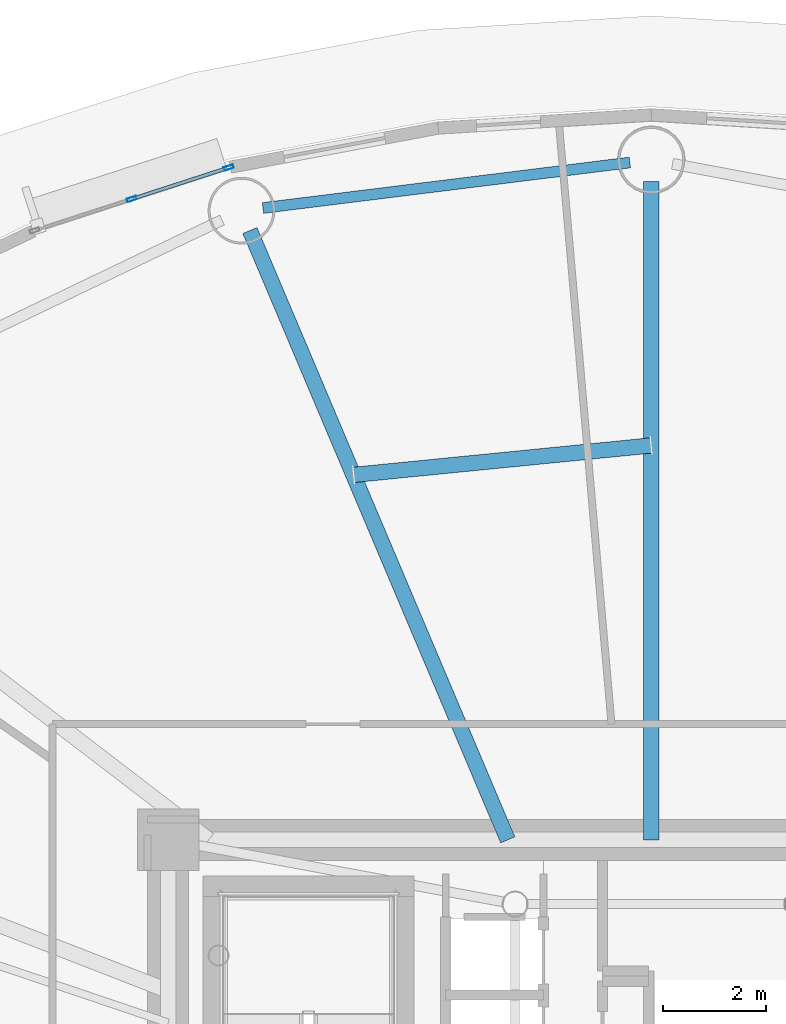
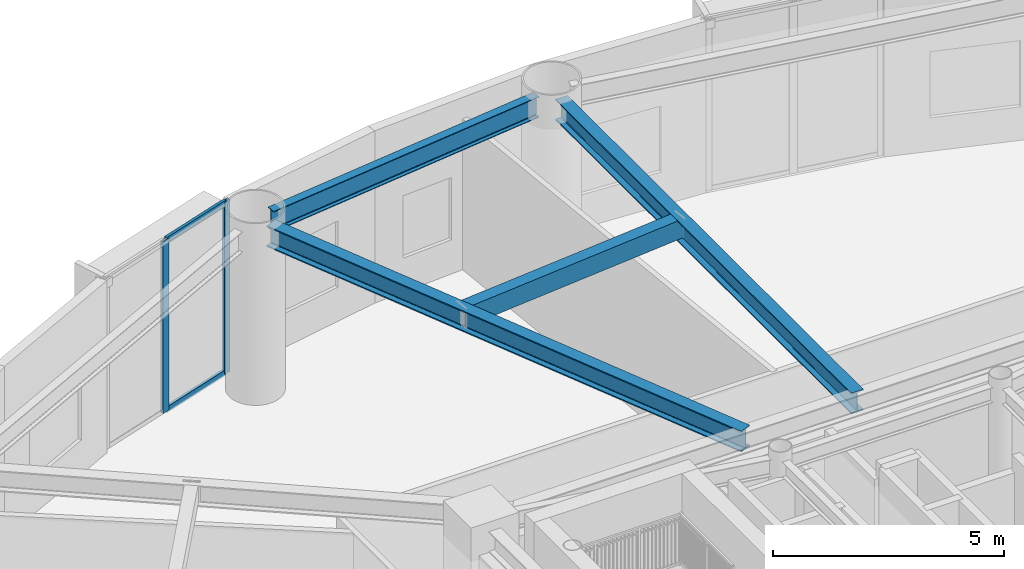
# One storey, part 19 of 38: 4 beams, 4 members, 1 element without a shape of its own.
"""IFC4 building model written with IfcOpenShell, lengths in metres."""

from ifc_helpers import new_model, si_unit, direction, frame, origin, origin_2d, place, context, subcontext, project, spatial, hollow_rectangle, i_section, extrude, source, transform, mapped, material, layer, layer_set, material_profile, profile_set, type_object, element, aggregate, save


model = new_model("IFC4")

# Units and contexts
model_context = context("Model", 3, precision=1e-05, world=origin(), true_north=direction((0.0, 1.0)))
body_context = subcontext(model_context, "Body", "Model", "MODEL_VIEW")
ifc_project = project(units=[si_unit("LENGTHUNIT", "METRE"), si_unit("AREAUNIT", "SQUARE_METRE"), si_unit("VOLUMEUNIT", "CUBIC_METRE"), si_unit("PLANEANGLEUNIT", "RADIAN"), si_unit("MASSUNIT", "GRAM", prefix="KILO")], contexts=[model_context])

# Site, building, storey
site_placement = place(None, origin())
site = spatial("IfcSite", under=ifc_project, at=site_placement, CompositionType="ELEMENT")
building_placement = place(site_placement, origin())
building = spatial("IfcBuilding", under=site, at=building_placement, Name="Linh Dai School and Residence Tower", CompositionType="ELEMENT")
storey_placement = place(building_placement, frame((0.0, 0.0, 151.35009765625)))
storey = spatial("IfcBuildingStorey", under=building, at=storey_placement, Name="L36", CompositionType="ELEMENT", Elevation=151.35009765625)

# Beams
ifc_material_1 = material(Name="Structural Steel S355JR", Category="steel")
ifc_material_profile_1 = material_profile(ifc_material_1, hollow_rectangle(XDim=0.300048828125, YDim=0.5, WallThickness=0.01611328125, at=origin_2d()), Name="RHS 500x300x16")
ifc_profile_set_1 = profile_set([ifc_material_profile_1], Name="Structural Steel S355JR")
beam_type_1 = type_object("IfcBeamType", Name="BM-BX5", PredefinedType="BEAM", material=ifc_profile_set_1)
beam_1_placement = place(storey_placement, frame((35.9951171875, 41.27294921875, 4.2998046875), z_axis=(-0.995143022353, -0.098439651878, 0.0), x_axis=(0.098439651878, -0.995143022353, 0.0)))
element("IfcBeam", 1, at=beam_1_placement, inside=storey, type_object=beam_type_1, Name="L36 Secondary Circumferential Floor Beam 03", PredefinedType="BEAM", context=body_context, shape_type="SweptSolid", body=[
    extrude(hollow_rectangle(XDim=0.300048828125, YDim=0.5, WallThickness=0.01611328125, at=origin_2d()), origin(), (0.0, 0.0, 1.0), 5.81591796875),
])
ifc_material_profile_2 = material_profile(ifc_material_1, i_section(OverallWidth=0.2099609375, OverallDepth=0.550048828125, WebThickness=0.010986328125, FlangeThickness=0.01708984375, FilletRadius=0.02392578125, at=origin_2d()), Name="IPE 550")
ifc_profile_set_2 = profile_set([ifc_material_profile_2], Name="Structural Steel S355JR")
beam_type_2 = type_object("IfcBeamType", Name="BM-RB55", PredefinedType="BEAM", material=ifc_profile_set_2)
beam_2_placement = place(storey_placement, frame((35.583251953125, 46.7783203125, 4.27490234375), z_axis=(-0.992400597975, -0.123048986741, 0.0), x_axis=(0.123048986741, -0.992400597975, 0.0)))
element("IfcBeam", 2, at=beam_2_placement, inside=storey, type_object=beam_type_2, Name="L36 Perimeter Elliptical Ring Beam 05", PredefinedType="BEAM", context=body_context, shape_type="SweptSolid", body=[
    extrude(i_section(OverallWidth=0.2099609375, OverallDepth=0.550048828125, WebThickness=0.010986328125, FlangeThickness=0.01708984375, FilletRadius=0.02392578125, at=origin_2d()), origin(), (0.0, 0.0, 1.0), 7.1943359375),
])
ifc_material_profile_3 = material_profile(ifc_material_1, i_section(OverallWidth=0.300048828125, OverallDepth=0.550048828125, WebThickness=0.014892578125, FlangeThickness=0.029052734375, FilletRadius=0.027099609375, at=origin_2d()), Name="HEB 550")
ifc_profile_set_3 = profile_set([ifc_material_profile_3], Name="Structural Steel S355JR")
beam_type_3 = type_object("IfcBeamType", Name="BM-RG55", PredefinedType="BEAM", material=ifc_profile_set_3)
beam_3_placement = place(storey_placement, frame((36.0, 33.60009765625, 4.27490234375), z_axis=(0.0, 1.0, 0.0), x_axis=(-1.0, 0.0, 0.0)))
element("IfcBeam", 3, at=beam_3_placement, inside=storey, type_object=beam_type_3, Name="L36 Primary Radial Floor Girder 05", PredefinedType="BEAM", context=body_context, shape_type="SweptSolid", body=[
    extrude(i_section(OverallWidth=0.300048828125, OverallDepth=0.550048828125, WebThickness=0.014892578125, FlangeThickness=0.029052734375, FilletRadius=0.027099609375, at=origin_2d()), origin(), (0.0, 0.0, 1.0), 12.809814453125),
])
beam_4_placement = place(storey_placement, frame((33.20703125, 33.60009765625, 4.27490234375), z_axis=(-0.389721661447, 0.920932693849, 0.0), x_axis=(-0.920932693849, -0.389721661447, 0.0)))
element("IfcBeam", 4, at=beam_4_placement, inside=storey, type_object=beam_type_3, Name="L36 Primary Radial Floor Girder 06", PredefinedType="BEAM", context=body_context, shape_type="SweptSolid", body=[
    extrude(i_section(OverallWidth=0.300048828125, OverallDepth=0.550048828125, WebThickness=0.014892578125, FlangeThickness=0.029052734375, FilletRadius=0.027099609375, at=origin_2d()), origin(), (0.0, 0.0, 1.0), 12.872314453125),
])

# Curtain wall, members
ifc_material_2 = material(Name="Aluminium Anodised Curtain Wall", Category="aluminium")
ifc_layer = layer(ifc_material_2, 0.18994140625)
ifc_layer_set = layer_set([ifc_layer], Name="Aluminium Anodised Curtain Wall")
curtain_wall_type = type_object("IfcCurtainWallType", Name="CW-SYS-5", PredefinedType="USERDEFINED", material=ifc_layer_set)
curtain_wall_placement = place(storey_placement, origin())
curtain_wall = element("IfcCurtainWall", 5, at=curtain_wall_placement, inside=storey, type_object=curtain_wall_type, Name="L36 CW5 Curtain Wall 13", ObjectType="UNITISED CURTAIN WALL", PredefinedType="USERDEFINED")
ifc_material_3 = material(Name="Aluminium Alloy 6063-T6", Category="aluminium")
ifc_material_profile_4 = material_profile(ifc_material_3, hollow_rectangle(XDim=0.070068359375, YDim=0.18994140625, WallThickness=0.00390625, at=origin_2d()), Name="RHS 190x70x4")
ifc_profile_set_4 = profile_set([ifc_material_profile_4], Name="Aluminium Alloy 6063-T6")
member_type_1 = type_object("IfcMemberType", Name="CW-SYS-5-MUL", PredefinedType="MULLION", material=ifc_profile_set_4)
shared_shape_1 = source(origin(), body_context, "Body", "SweptSolid", [
    extrude(hollow_rectangle(XDim=0.070068359375, YDim=0.18994140625, WallThickness=0.00390625, at=origin_2d()), origin(), (0.0, 0.0, 1.0), 4.5498046875),
])
member_1_placement = place(storey_placement, frame((25.890625, 46.06640625, 0.0), z_axis=(0.0, 0.0, 1.0), x_axis=(-0.308535707031, 0.951212761419, 0.0)))
member_1 = element("IfcMember", 6, at=member_1_placement, type_object=member_type_1, Name="CW5 mullion 2", PredefinedType="MULLION", context=body_context, shape_type="MappedRepresentation", body=[
    mapped(shared_shape_1, transform((0.0, 0.0, 0.0), x_axis=(1.0, 0.0, 0.0), y_axis=(0.0, 1.0, 0.0), z_axis=(0.0, 0.0, 1.0), scale=1.0)),
])
member_2_placement = place(storey_placement, frame((27.777587890625, 46.678466796875, 0.0), z_axis=(0.0, 0.0, 1.0), x_axis=(-0.308535707031, 0.951212761419, 0.0)))
member_2 = element("IfcMember", 7, at=member_2_placement, type_object=member_type_1, Name="CW5 mullion 3", PredefinedType="MULLION", context=body_context, shape_type="MappedRepresentation", body=[
    mapped(shared_shape_1, transform((0.0, 0.0, 0.0), x_axis=(1.0, 0.0, 0.0), y_axis=(0.0, 1.0, 0.0), z_axis=(0.0, 0.0, 1.0), scale=1.0)),
])
ifc_material_profile_5 = material_profile(ifc_material_3, hollow_rectangle(XDim=0.070068359375, YDim=0.14990234375, WallThickness=0.00390625, at=origin_2d()), Name="RHS 150x70x4")
ifc_profile_set_5 = profile_set([ifc_material_profile_5], Name="Aluminium Alloy 6063-T6")
member_type_2 = type_object("IfcMemberType", Name="CW-SYS-5-TRN", PredefinedType="USERDEFINED", material=ifc_profile_set_5)
shared_shape_2 = source(origin(), body_context, "Body", "SweptSolid", [
    extrude(hollow_rectangle(XDim=0.070068359375, YDim=0.14990234375, WallThickness=0.00390625, at=origin_2d()), origin(), (0.0, 0.0, 1.0), 1.9140625),
])
member_3_placement = place(storey_placement, frame((25.923828125, 46.0771484375, 0.034912109375), z_axis=(0.951203594806, 0.308563966184, 0.0), x_axis=(-0.308563966184, 0.951203594806, 0.0)))
member_3 = element("IfcMember", 8, at=member_3_placement, type_object=member_type_2, Name="CW5 transom 2.1", ObjectType="TRANSOM", PredefinedType="USERDEFINED", context=body_context, shape_type="MappedRepresentation", body=[
    mapped(shared_shape_2, transform((0.0, 0.0, 0.0), x_axis=(1.0, 0.0, 0.0), y_axis=(0.0, 1.0, 0.0), z_axis=(0.0, 0.0, 1.0), scale=1.0)),
])
member_4_placement = place(storey_placement, frame((25.923828125, 46.0771484375, 4.514892578125), z_axis=(0.951203594806, 0.308563966184, 0.0), x_axis=(-0.308563966184, 0.951203594806, 0.0)))
member_4 = element("IfcMember", 9, at=member_4_placement, type_object=member_type_2, Name="CW5 transom 2.2", ObjectType="TRANSOM", PredefinedType="USERDEFINED", context=body_context, shape_type="MappedRepresentation", body=[
    mapped(shared_shape_2, transform((0.0, 0.0, 0.0), x_axis=(1.0, 0.0, 0.0), y_axis=(0.0, 1.0, 0.0), z_axis=(0.0, 0.0, 1.0), scale=1.0)),
])
aggregate(curtain_wall, [member_1, member_2, member_3, member_4])

save(model, "model.ifc")
